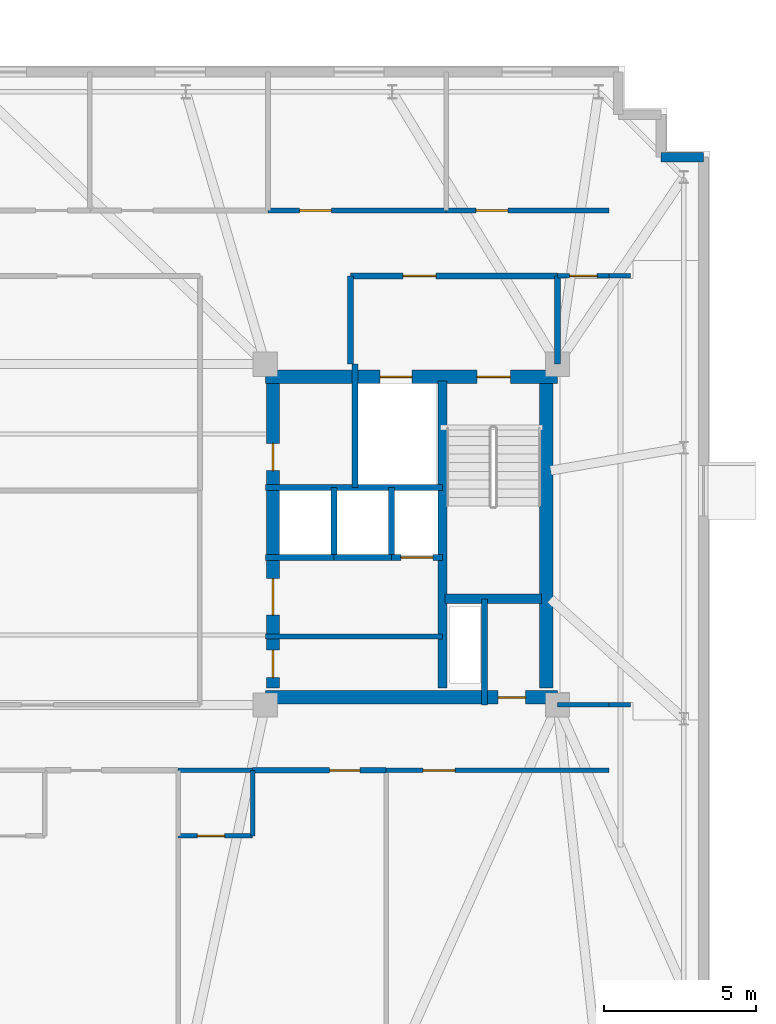
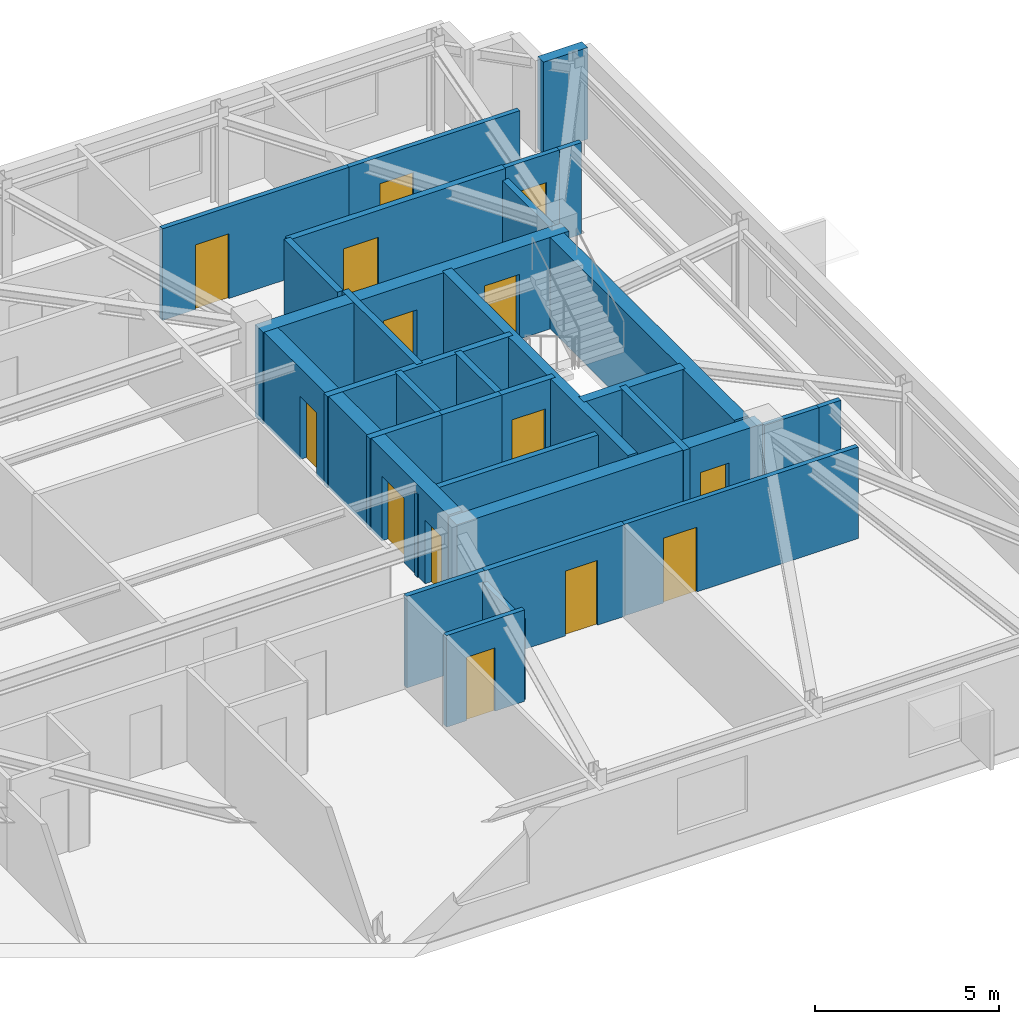
# One storey, part 8 of 11: 30 walls, 14 doors, 14 openings.
"""IFC4 building model written with IfcOpenShell, lengths in metres."""

from ifc_helpers import new_model, si_unit, direction, frame, frame_2d, origin, place, context, subcontext, project, spatial, rectangle, extrude, material, layer, layer_set, type_object, element, fill, save


model = new_model("IFC4")

# Units and contexts
model_context = context("Model", 3, precision=1e-05, world=origin(), true_north=direction((0.0, 1.0)))
body_context = subcontext(model_context, "Body", "Model", "MODEL_VIEW")
ifc_project = project(units=[si_unit("LENGTHUNIT", "METRE"), si_unit("AREAUNIT", "SQUARE_METRE"), si_unit("VOLUMEUNIT", "CUBIC_METRE"), si_unit("PLANEANGLEUNIT", "RADIAN"), si_unit("MASSUNIT", "GRAM", prefix="KILO")], contexts=[model_context])

# Site, building, storey
site_placement = place(None, origin())
site = spatial("IfcSite", under=ifc_project, at=site_placement, CompositionType="ELEMENT")
building_placement = place(site_placement, origin())
building = spatial("IfcBuilding", under=site, at=building_placement, Name="Qobustan Lattice House", CompositionType="ELEMENT")
storey_placement = place(building_placement, frame((0.0, 0.0, 248.39990234375)))
storey = spatial("IfcBuildingStorey", under=building, at=storey_placement, Name="L70", CompositionType="ELEMENT", Elevation=248.39990234375)

# Wall, openings, doors
ifc_material_1 = material(Name="Concrete C50/60", Category="concrete")
ifc_layer_1 = layer(ifc_material_1, 0.43994140625)
ifc_layer_set_1 = layer_set([ifc_layer_1], Name="Concrete C50/60")
wall_type_1 = type_object("IfcWallType", Name="WAL-CORE-440", PredefinedType="SHEAR", material=ifc_layer_set_1)
wall_1_placement = place(storey_placement, frame((9.199951171875, 5.179931640625, 0.0), z_axis=(0.0, 0.0, 1.0), x_axis=(1.0, 0.0, 0.0)))
wall_1 = element("IfcWall", 1, at=wall_1_placement, inside=storey, type_object=wall_type_1, Name="L70 split-core shear wall CE-N", PredefinedType="SHEAR", context=body_context, shape_type="SweptSolid", body=[
    extrude(rectangle(XDim=9.60009765625, YDim=0.43994140625, at=frame_2d((4.800048828125, 0.0))), origin(), (0.0, 0.0, 1.0), 3.0400390625),
])
opening_1_placement = place(wall_1_placement, frame((6.949951171875, 0.0, 0.0)))
opening_1 = element("IfcOpeningElement", 2, at=opening_1_placement, cuts=wall_1, Name="Opening SD-01", PredefinedType="OPENING", context=body_context, shape_type="SweptSolid", body=[
    extrude(rectangle(XDim=1.10009765625, YDim=2.14990234375, at=frame_2d((0.550048828125, 1.074951171875))), frame((0.0, 0.22998046875, 0.0), z_axis=(0.0, -1.0, 0.0), x_axis=(1.0, 0.0, 0.0)), (0.0, 0.0, 1.0), 0.4599609375),
])
opening_2_placement = place(wall_1_placement, frame((3.77490234375, 0.0, 0.0)))
opening_2 = element("IfcOpeningElement", 3, at=opening_2_placement, cuts=wall_1, Name="Opening LD-01", PredefinedType="OPENING", context=body_context, shape_type="SweptSolid", body=[
    extrude(rectangle(XDim=1.050048828125, YDim=2.10009765625, at=frame_2d((0.52490234375, 1.050048828125))), frame((0.0, 0.22998046875, 0.0), z_axis=(0.0, -1.0, 0.0), x_axis=(1.0, 0.0, 0.0)), (0.0, 0.0, 1.0), 0.4599609375),
])
ifc_material_2 = material(Name="Persian walnut timber and steel frame door", Category="steel")
door_type_1 = type_object("IfcDoorType", Name="DOR-LIFT-LD-1050x2100", OperationType="NOTDEFINED", PredefinedType="DOOR", material=ifc_material_2)
door_1_placement = place(opening_2_placement, origin())
door_1 = element("IfcDoor", 4, at=door_1_placement, inside=storey, type_object=door_type_1, Name="L70 firefighting lift FF-E landing door", OperationType="DOUBLE_DOOR_SLIDING", OverallHeight=2.10009765625, OverallWidth=1.050048828125, PredefinedType="DOOR", context=body_context, shape_type="SweptSolid", body=[
    extrude(rectangle(XDim=1.050048828125, YDim=2.10009765625, at=frame_2d((0.52490234375, 1.050048828125))), frame((0.0, 0.02490234375, 0.0), z_axis=(0.0, -1.0, 0.0), x_axis=(1.0, 0.0, 0.0)), (0.0, 0.0, 1.0), 0.050048828125),
])
fill(opening_2, door_1)
ifc_material_3 = material(Name="Persian walnut timber and steel frame door", Category="steel")
door_type_2 = type_object("IfcDoorType", Name="DOR-STAIR-FD-1100x2150", OperationType="NOTDEFINED", PredefinedType="DOOR", material=ifc_material_3)
door_2_placement = place(opening_1_placement, origin())
door_2 = element("IfcDoor", 5, at=door_2_placement, inside=storey, type_object=door_type_2, Name="L70 exit stair ST-E1 fire door", OperationType="SINGLE_SWING_LEFT", OverallHeight=2.14990234375, OverallWidth=1.10009765625, PredefinedType="DOOR", context=body_context, shape_type="SweptSolid", body=[
    extrude(rectangle(XDim=1.10009765625, YDim=2.14990234375, at=frame_2d((0.550048828125, 1.074951171875))), frame((0.0, 0.02490234375, 0.0), z_axis=(0.0, -1.0, 0.0), x_axis=(1.0, 0.0, 0.0)), (0.0, 0.0, 1.0), 0.050048828125),
])
fill(opening_1, door_2)

# Wall, opening, door
wall_2_placement = place(storey_placement, frame((9.199951171875, -5.35009765625, 0.0), z_axis=(0.0, 0.0, 1.0), x_axis=(1.0, 0.0, 0.0)))
wall_2 = element("IfcWall", 6, at=wall_2_placement, inside=storey, type_object=wall_type_1, Name="L70 split-core shear wall CE-S", PredefinedType="SHEAR", context=body_context, shape_type="SweptSolid", body=[
    extrude(rectangle(XDim=9.60009765625, YDim=0.43994140625, at=frame_2d((4.800048828125, 0.0))), origin(), (0.0, 0.0, 1.0), 3.0400390625),
])
opening_3_placement = place(wall_2_placement, frame((7.64990234375, 0.0, 0.0)))
opening_3 = element("IfcOpeningElement", 7, at=opening_3_placement, cuts=wall_2, Name="Opening RD-01", PredefinedType="OPENING", context=body_context, shape_type="SweptSolid", body=[
    extrude(rectangle(XDim=0.89990234375, YDim=2.10009765625, at=frame_2d((0.449951171875, 1.050048828125))), frame((0.0, 0.22998046875, 0.0), z_axis=(0.0, -1.0, 0.0), x_axis=(1.0, 0.0, 0.0)), (0.0, 0.0, 1.0), 0.4599609375),
])
ifc_material_4 = material(Name="Persian walnut timber and steel frame door", Category="steel")
door_type_3 = type_object("IfcDoorType", Name="DOR-RISER-FD-900x2100", OperationType="NOTDEFINED", PredefinedType="DOOR", material=ifc_material_4)
door_3_placement = place(opening_3_placement, origin())
door_3 = element("IfcDoor", 8, at=door_3_placement, inside=storey, type_object=door_type_3, Name="L70 core service riser access door E", OperationType="SINGLE_SWING_LEFT", OverallHeight=2.10009765625, OverallWidth=0.89990234375, PredefinedType="DOOR", context=body_context, shape_type="SweptSolid", body=[
    extrude(rectangle(XDim=0.89990234375, YDim=2.10009765625, at=frame_2d((0.449951171875, 1.050048828125))), frame((0.0, 0.02490234375, 0.0), z_axis=(0.0, -1.0, 0.0), x_axis=(1.0, 0.0, 0.0)), (0.0, 0.0, 1.0), 0.050048828125),
])
fill(opening_3, door_3)

# Wall, openings, doors
wall_3_placement = place(storey_placement, frame((9.449951171875, -5.050048828125, 0.0), z_axis=(0.0, 0.0, 1.0), x_axis=(0.0, 1.0, 0.0)))
wall_3 = element("IfcWall", 9, at=wall_3_placement, inside=storey, type_object=wall_type_1, Name="L70 split-core shear wall CE-W", PredefinedType="SHEAR", context=body_context, shape_type="SweptSolid", body=[
    extrude(rectangle(XDim=10.10009765625, YDim=0.43994140625, at=frame_2d((5.050048828125, 0.0))), origin(), (0.0, 0.0, 1.0), 3.0400390625),
])
opening_4_placement = place(wall_3_placement, frame((7.14990234375, 0.0, 0.0)))
opening_4 = element("IfcOpeningElement", 10, at=opening_4_placement, cuts=wall_3, Name="Opening RD-01", PredefinedType="OPENING", context=body_context, shape_type="SweptSolid", body=[
    extrude(rectangle(XDim=0.89990234375, YDim=2.10009765625, at=frame_2d((0.449951171875, 1.050048828125))), frame((0.0, 0.22998046875, 0.0), z_axis=(0.0, -1.0, 0.0), x_axis=(1.0, 0.0, 0.0)), (0.0, 0.0, 1.0), 0.4599609375),
])
opening_5_placement = place(wall_3_placement, frame((2.39990234375, 0.0, 0.0)))
opening_5 = element("IfcOpeningElement", 11, at=opening_5_placement, cuts=wall_3, Name="Opening FD-01", PredefinedType="OPENING", context=body_context, shape_type="SweptSolid", body=[
    extrude(rectangle(XDim=1.199951171875, YDim=2.14990234375, at=frame_2d((0.60009765625, 1.074951171875))), frame((0.0, 0.22998046875, 0.0), z_axis=(0.0, -1.0, 0.0), x_axis=(1.0, 0.0, 0.0)), (0.0, 0.0, 1.0), 0.4599609375),
])
opening_6_placement = place(wall_3_placement, frame((0.35009765625, 0.0, 0.0)))
opening_6 = element("IfcOpeningElement", 12, at=opening_6_placement, cuts=wall_3, Name="Opening RD-01", PredefinedType="OPENING", context=body_context, shape_type="SweptSolid", body=[
    extrude(rectangle(XDim=0.89990234375, YDim=2.10009765625, at=frame_2d((0.449951171875, 1.050048828125))), frame((0.0, 0.22998046875, 0.0), z_axis=(0.0, -1.0, 0.0), x_axis=(1.0, 0.0, 0.0)), (0.0, 0.0, 1.0), 0.4599609375),
])
ifc_material_5 = material(Name="Persian walnut timber and steel frame door", Category="steel")
door_type_4 = type_object("IfcDoorType", Name="DOR-LOBBY-FD-1200x2150", OperationType="NOTDEFINED", PredefinedType="DOOR", material=ifc_material_5)
door_4_placement = place(opening_5_placement, origin())
door_4 = element("IfcDoor", 13, at=door_4_placement, inside=storey, type_object=door_type_4, Name="L70 East passenger lift lobby fire door", OperationType="SINGLE_SWING_RIGHT", OverallHeight=2.14990234375, OverallWidth=1.199951171875, PredefinedType="DOOR", context=body_context, shape_type="SweptSolid", body=[
    extrude(rectangle(XDim=1.199951171875, YDim=2.14990234375, at=frame_2d((0.60009765625, 1.074951171875))), frame((0.0, 0.02490234375, 0.0), z_axis=(0.0, -1.0, 0.0), x_axis=(1.0, 0.0, 0.0)), (0.0, 0.0, 1.0), 0.050048828125),
])
fill(opening_5, door_4)
door_5_placement = place(opening_4_placement, origin())
door_5 = element("IfcDoor", 14, at=door_5_placement, inside=storey, type_object=door_type_3, Name="L70 Housekeeping linen store fire door", OperationType="SINGLE_SWING_LEFT", OverallHeight=2.10009765625, OverallWidth=0.89990234375, PredefinedType="DOOR", context=body_context, shape_type="SweptSolid", body=[
    extrude(rectangle(XDim=0.89990234375, YDim=2.10009765625, at=frame_2d((0.449951171875, 1.050048828125))), frame((0.0, 0.02490234375, 0.0), z_axis=(0.0, -1.0, 0.0), x_axis=(1.0, 0.0, 0.0)), (0.0, 0.0, 1.0), 0.050048828125),
])
fill(opening_4, door_5)
door_6_placement = place(opening_6_placement, origin())
door_6 = element("IfcDoor", 15, at=door_6_placement, inside=storey, type_object=door_type_3, Name="L70 Graduate seminar alcove fire door", OperationType="SINGLE_SWING_LEFT", OverallHeight=2.10009765625, OverallWidth=0.89990234375, PredefinedType="DOOR", context=body_context, shape_type="SweptSolid", body=[
    extrude(rectangle(XDim=0.89990234375, YDim=2.10009765625, at=frame_2d((0.449951171875, 1.050048828125))), frame((0.0, 0.02490234375, 0.0), z_axis=(0.0, -1.0, 0.0), x_axis=(1.0, 0.0, 0.0)), (0.0, 0.0, 1.0), 0.050048828125),
])
fill(opening_6, door_6)

# Walls
wall_4_placement = place(storey_placement, frame((18.429931640625, -5.050048828125, 0.0), z_axis=(0.0, 0.0, 1.0), x_axis=(0.0, 1.0, 0.0)))
element("IfcWall", 16, at=wall_4_placement, inside=storey, type_object=wall_type_1, Name="L70 split-core shear wall CE-E", PredefinedType="SHEAR", context=body_context, shape_type="SweptSolid", body=[
    extrude(rectangle(XDim=10.10009765625, YDim=0.43994140625, at=frame_2d((5.050048828125, 0.0))), origin(), (0.0, 0.0, 1.0), 3.0400390625),
])
ifc_material_6 = material(Name="Concrete C50/60", Category="concrete")
ifc_layer_2 = layer(ifc_material_6, 0.280029296875)
ifc_layer_set_2 = layer_set([ifc_layer_2], Name="Concrete C50/60")
wall_type_2 = type_object("IfcWallType", Name="WAL-CORE-SPINE-280", PredefinedType="SHEAR", material=ifc_layer_set_2)
wall_5_placement = place(storey_placement, frame((15.02001953125, -5.050048828125, 0.0), z_axis=(0.0, 0.0, 1.0), x_axis=(0.0, 1.0, 0.0)))
element("IfcWall", 17, at=wall_5_placement, inside=storey, type_object=wall_type_2, Name="L70 split-core shear wall CE-M", PredefinedType="SHEAR", context=body_context, shape_type="SweptSolid", body=[
    extrude(rectangle(XDim=10.10009765625, YDim=0.300048828125, at=frame_2d((5.050048828125, 0.0))), origin(), (0.0, 0.0, 1.0), 3.0400390625),
])
wall_6_placement = place(storey_placement, frame((15.10009765625, -2.110107421875, 0.0), z_axis=(0.0, 0.0, 1.0), x_axis=(1.0, 0.0, 0.0)))
element("IfcWall", 18, at=wall_6_placement, inside=storey, type_object=wall_type_2, Name="L70 split-core shear wall CE-ST", PredefinedType="SHEAR", context=body_context, shape_type="SweptSolid", body=[
    extrude(rectangle(XDim=3.179931640625, YDim=0.300048828125, at=frame_2d((1.58984375, 0.0))), origin(), (0.0, 0.0, 1.0), 3.0400390625),
])
ifc_material_7 = material(Name="Precast concrete C40/50", Category="concrete")
ifc_layer_3 = layer(ifc_material_7, 0.320068359375)
ifc_layer_set_3 = layer_set([ifc_layer_3], Name="Precast concrete C40/50")
wall_type_3 = type_object("IfcWallType", Name="WAL-EXT-STONE-320", PredefinedType="SOLIDWALL", material=ifc_layer_set_3)
wall_7_placement = place(storey_placement, frame((22.199951171875, 12.39990234375, 0.0), z_axis=(0.0, 0.0, 1.0), x_axis=(1.0, 0.0, 0.0)))
element("IfcWall", 19, at=wall_7_placement, inside=storey, type_object=wall_type_3, Name="L70 exterior limestone-clad wall 14", PredefinedType="SOLIDWALL", context=body_context, shape_type="SweptSolid", body=[
    extrude(rectangle(XDim=1.400146484375, YDim=0.320068359375, at=frame_2d((0.7001953125, 0.0))), origin(), (0.0, 0.0, 1.0), 3.0400390625),
])
ifc_material_8 = material(Name="Gypsum fireboard acoustic partition", Category="gypsum")
ifc_layer_4 = layer(ifc_material_8, 0.179931640625)
ifc_layer_set_4 = layer_set([ifc_layer_4], Name="Gypsum fireboard acoustic partition")
wall_type_4 = type_object("IfcWallType", Name="WAL-FIRE-180", PredefinedType="PARTITIONING", material=ifc_layer_set_4)
wall_8_placement = place(storey_placement, frame((9.199951171875, -3.35009765625, 0.0), z_axis=(0.0, 0.0, 1.0), x_axis=(1.0, 0.0, 0.0)))
element("IfcWall", 20, at=wall_8_placement, inside=storey, type_object=wall_type_4, Name="L70 interior partition 21", PredefinedType="PARTITIONING", context=body_context, shape_type="SweptSolid", body=[
    extrude(rectangle(XDim=5.820068359375, YDim=0.179931640625, at=frame_2d((2.91015625, 0.0))), origin(), (0.0, 0.0, 1.0), 2.755126953125),
])

# Wall, opening, door
wall_9_placement = place(storey_placement, frame((13.1669921875, -7.75, 0.0), z_axis=(0.0, 0.0, 1.0), x_axis=(-1.0, 0.0, 0.0)))
wall_9 = element("IfcWall", 21, at=wall_9_placement, inside=storey, type_object=wall_type_4, Name="L70 interior partition 57", PredefinedType="PARTITIONING", context=body_context, shape_type="SweptSolid", body=[
    extrude(rectangle(XDim=4.384033203125, YDim=0.179931640625, at=frame_2d((2.19189453125, 0.0))), origin(), (0.0, 0.0, 1.0), 3.0400390625),
])
opening_7_placement = place(wall_9_placement, frame((0.85791015625, 0.0, 0.0)))
opening_7 = element("IfcOpeningElement", 22, at=opening_7_placement, cuts=wall_9, Name="Opening FD-02", PredefinedType="OPENING", context=body_context, shape_type="SweptSolid", body=[
    extrude(rectangle(XDim=1.0, YDim=2.14990234375, at=frame_2d((0.5, 1.074951171875))), frame((0.0, 0.099853515625, 0.0), z_axis=(0.0, -1.0, 0.0), x_axis=(1.0, 0.0, 0.0)), (0.0, 0.0, 1.0), 0.199951171875),
])
ifc_material_9 = material(Name="Persian walnut timber and steel frame door", Category="steel")
door_type_5 = type_object("IfcDoorType", Name="DOR-UNIT-FD-1000x2150", OperationType="NOTDEFINED", PredefinedType="DOOR", material=ifc_material_9)
door_7_placement = place(opening_7_placement, origin())
door_7 = element("IfcDoor", 23, at=door_7_placement, inside=storey, type_object=door_type_5, Name="L70 South-east floor corridor to Kitchenette and studio apartment L70-S5 door", OperationType="SINGLE_SWING_LEFT", OverallHeight=2.14990234375, OverallWidth=1.0, PredefinedType="DOOR", context=body_context, shape_type="SweptSolid", body=[
    extrude(rectangle(XDim=1.0, YDim=2.14990234375, at=frame_2d((0.5, 1.074951171875))), frame((0.0, 0.02490234375, 0.0), z_axis=(0.0, -1.0, 0.0), x_axis=(1.0, 0.0, 0.0)), (0.0, 0.0, 1.0), 0.050048828125),
])
fill(opening_7, door_7)

ifc_material_10 = material(Name="Acoustic twin-stud gypsum partition", Category="gypsum")
ifc_layer_5 = layer(ifc_material_10, 0.14990234375)
ifc_layer_set_5 = layer_set([ifc_layer_5], Name="Acoustic twin-stud gypsum partition")
wall_type_5 = type_object("IfcWallType", Name="WAL-PART-150", PredefinedType="PARTITIONING", material=ifc_layer_set_5)
wall_10_placement = place(storey_placement, frame((20.5, 8.5, 0.0), z_axis=(0.0, 0.0, 1.0), x_axis=(-1.0, 0.0, 0.0)))
wall_10 = element("IfcWall", 24, at=wall_10_placement, inside=storey, type_object=wall_type_5, Name="L70 interior partition 37", PredefinedType="PARTITIONING", context=body_context, shape_type="SweptSolid", body=[
    extrude(rectangle(XDim=1.699951171875, YDim=0.14990234375, at=frame_2d((0.85009765625, 0.0))), origin(), (0.0, 0.0, 1.0), 3.0400390625),
])
opening_8_placement = place(wall_10_placement, frame((0.39990234375, 0.0, 0.0)))
opening_8 = element("IfcOpeningElement", 25, at=opening_8_placement, cuts=wall_10, Name="Opening WD-01", PredefinedType="OPENING", context=body_context, shape_type="SweptSolid", body=[
    extrude(rectangle(XDim=0.89990234375, YDim=2.10009765625, at=frame_2d((0.449951171875, 1.050048828125))), frame((0.0, 0.0849609375, 0.0), z_axis=(0.0, -1.0, 0.0), x_axis=(1.0, 0.0, 0.0)), (0.0, 0.0, 1.0), 0.169921875),
])
ifc_material_11 = material(Name="Persian walnut timber and steel frame door", Category="steel")
door_type_6 = type_object("IfcDoorType", Name="DOR-WET-900x2100", OperationType="NOTDEFINED", PredefinedType="DOOR", material=ifc_material_11)
door_8_placement = place(opening_8_placement, origin())
door_8 = element("IfcDoor", 26, at=door_8_placement, inside=storey, type_object=door_type_6, Name="L70 North-east floor corridor to Communal study lounge door", OperationType="SINGLE_SWING_LEFT", OverallHeight=2.10009765625, OverallWidth=0.89990234375, PredefinedType="DOOR", context=body_context, shape_type="SweptSolid", body=[
    extrude(rectangle(XDim=0.89990234375, YDim=2.10009765625, at=frame_2d((0.449951171875, 1.050048828125))), frame((0.0, 0.02490234375, 0.0), z_axis=(0.0, -1.0, 0.0), x_axis=(1.0, 0.0, 0.0)), (0.0, 0.0, 1.0), 0.050048828125),
])
fill(opening_8, door_8)

# Wall
wall_11_placement = place(storey_placement, frame((21.199951171875, 8.5, 0.0), z_axis=(0.0, 0.0, 1.0), x_axis=(-1.0, 0.0, 0.0)))
element("IfcWall", 27, at=wall_11_placement, inside=storey, type_object=wall_type_5, Name="L70 interior partition 38", PredefinedType="PARTITIONING", context=body_context, shape_type="SweptSolid", body=[
    extrude(rectangle(XDim=0.699951171875, YDim=0.14990234375, at=frame_2d((0.35009765625, 0.0))), origin(), (0.0, 0.0, 1.0), 3.0400390625),
])

# Wall, opening, door
wall_12_placement = place(storey_placement, frame((9.285888671875, 10.64990234375, 0.0), z_axis=(0.0, 0.0, 1.0), x_axis=(1.0, 0.0, 0.0)))
wall_12 = element("IfcWall", 28, at=wall_12_placement, inside=storey, type_object=wall_type_5, Name="L70 interior partition 41", PredefinedType="PARTITIONING", context=body_context, shape_type="SweptSolid", body=[
    extrude(rectangle(XDim=5.857177734375, YDim=0.14990234375, at=frame_2d((2.9287109375, 0.0))), origin(), (0.0, 0.0, 1.0), 3.0400390625),
])
opening_9_placement = place(wall_12_placement, frame((1.035888671875, 0.0, 0.0)))
opening_9 = element("IfcOpeningElement", 29, at=opening_9_placement, cuts=wall_12, Name="Opening ID-02", PredefinedType="OPENING", context=body_context, shape_type="SweptSolid", body=[
    extrude(rectangle(XDim=1.050048828125, YDim=2.14990234375, at=frame_2d((0.52490234375, 1.074951171875))), frame((0.0, 0.0849609375, 0.0), z_axis=(0.0, -1.0, 0.0), x_axis=(1.0, 0.0, 0.0)), (0.0, 0.0, 1.0), 0.169921875),
])
ifc_material_12 = material(Name="Persian walnut timber and steel frame door", Category="steel")
door_type_7 = type_object("IfcDoorType", Name="DOR-STUDY-1050x2150", OperationType="NOTDEFINED", PredefinedType="DOOR", material=ifc_material_12)
door_9_placement = place(opening_9_placement, origin())
door_9 = element("IfcDoor", 30, at=door_9_placement, inside=storey, type_object=door_type_7, Name="L70 North-east floor corridor to Focus study room N6 door", OperationType="SINGLE_SWING_RIGHT", OverallHeight=2.14990234375, OverallWidth=1.050048828125, PredefinedType="DOOR", context=body_context, shape_type="SweptSolid", body=[
    extrude(rectangle(XDim=1.050048828125, YDim=2.14990234375, at=frame_2d((0.52490234375, 1.074951171875))), frame((0.0, 0.02490234375, 0.0), z_axis=(0.0, -1.0, 0.0), x_axis=(1.0, 0.0, 0.0)), (0.0, 0.0, 1.0), 0.050048828125),
])
fill(opening_9, door_9)

wall_13_placement = place(storey_placement, frame((15.14306640625, 10.64990234375, 0.0), z_axis=(0.0, 0.0, 1.0), x_axis=(1.0, 0.0, 0.0)))
wall_13 = element("IfcWall", 31, at=wall_13_placement, inside=storey, type_object=wall_type_5, Name="L70 interior partition 42", PredefinedType="PARTITIONING", context=body_context, shape_type="SweptSolid", body=[
    extrude(rectangle(XDim=5.35693359375, YDim=0.14990234375, at=frame_2d((2.678466796875, 0.0))), origin(), (0.0, 0.0, 1.0), 3.0400390625),
])
opening_10_placement = place(wall_13_placement, frame((0.973388671875, 0.0, 0.0)))
opening_10 = element("IfcOpeningElement", 32, at=opening_10_placement, cuts=wall_13, Name="Opening ID-02", PredefinedType="OPENING", context=body_context, shape_type="SweptSolid", body=[
    extrude(rectangle(XDim=1.050048828125, YDim=2.14990234375, at=frame_2d((0.52490234375, 1.074951171875))), frame((0.0, 0.0849609375, 0.0), z_axis=(0.0, -1.0, 0.0), x_axis=(1.0, 0.0, 0.0)), (0.0, 0.0, 1.0), 0.169921875),
])
door_10_placement = place(opening_10_placement, origin())
door_10 = element("IfcDoor", 33, at=door_10_placement, inside=storey, type_object=door_type_7, Name="L70 North-east floor corridor to Focus study room N7 door", OperationType="SINGLE_SWING_LEFT", OverallHeight=2.14990234375, OverallWidth=1.050048828125, PredefinedType="DOOR", context=body_context, shape_type="SweptSolid", body=[
    extrude(rectangle(XDim=1.050048828125, YDim=2.14990234375, at=frame_2d((0.52490234375, 1.074951171875))), frame((0.0, 0.02490234375, 0.0), z_axis=(0.0, -1.0, 0.0), x_axis=(1.0, 0.0, 0.0)), (0.0, 0.0, 1.0), 0.050048828125),
])
fill(opening_10, door_10)

# Walls
wall_14_placement = place(storey_placement, frame((18.800048828125, -5.60009765625, 0.0), z_axis=(0.0, 0.0, 1.0), x_axis=(1.0, 0.0, 0.0)))
element("IfcWall", 34, at=wall_14_placement, inside=storey, type_object=wall_type_5, Name="L70 interior partition 53", PredefinedType="PARTITIONING", context=body_context, shape_type="SweptSolid", body=[
    extrude(rectangle(XDim=1.699951171875, YDim=0.14990234375, at=frame_2d((0.85009765625, 0.0))), origin(), (0.0, 0.0, 1.0), 3.0400390625),
])
wall_15_placement = place(storey_placement, frame((20.5, -5.60009765625, 0.0), z_axis=(0.0, 0.0, 1.0), x_axis=(1.0, 0.0, 0.0)))
element("IfcWall", 35, at=wall_15_placement, inside=storey, type_object=wall_type_5, Name="L70 interior partition 54", PredefinedType="PARTITIONING", context=body_context, shape_type="SweptSolid", body=[
    extrude(rectangle(XDim=0.699951171875, YDim=0.14990234375, at=frame_2d((0.35009765625, 0.0))), origin(), (0.0, 0.0, 1.0), 3.0400390625),
])

# Wall, opening, door
wall_16_placement = place(storey_placement, frame((20.5, -7.75, 0.0), z_axis=(0.0, 0.0, 1.0), x_axis=(-1.0, 0.0, 0.0)))
wall_16 = element("IfcWall", 36, at=wall_16_placement, inside=storey, type_object=wall_type_5, Name="L70 interior partition 59", PredefinedType="PARTITIONING", context=body_context, shape_type="SweptSolid", body=[
    extrude(rectangle(XDim=7.3330078125, YDim=0.14990234375, at=frame_2d((3.66650390625, 0.0))), origin(), (0.0, 0.0, 1.0), 3.0400390625),
])
opening_11_placement = place(wall_16_placement, frame((5.0625, 0.0, 0.0)))
opening_11 = element("IfcOpeningElement", 37, at=opening_11_placement, cuts=wall_16, Name="Opening ID-02", PredefinedType="OPENING", context=body_context, shape_type="SweptSolid", body=[
    extrude(rectangle(XDim=1.050048828125, YDim=2.14990234375, at=frame_2d((0.52490234375, 1.074951171875))), frame((0.0, 0.0849609375, 0.0), z_axis=(0.0, -1.0, 0.0), x_axis=(1.0, 0.0, 0.0)), (0.0, 0.0, 1.0), 0.169921875),
])
door_11_placement = place(opening_11_placement, origin())
door_11 = element("IfcDoor", 38, at=door_11_placement, inside=storey, type_object=door_type_7, Name="L70 South-east floor corridor to Group study room door", OperationType="SINGLE_SWING_RIGHT", OverallHeight=2.14990234375, OverallWidth=1.050048828125, PredefinedType="DOOR", context=body_context, shape_type="SweptSolid", body=[
    extrude(rectangle(XDim=1.050048828125, YDim=2.14990234375, at=frame_2d((0.52490234375, 1.074951171875))), frame((0.0, 0.02490234375, 0.0), z_axis=(0.0, -1.0, 0.0), x_axis=(1.0, 0.0, 0.0)), (0.0, 0.0, 1.0), 0.050048828125),
])
fill(opening_11, door_11)

ifc_material_13 = material(Name="Two-hour gypsum fireboard acoustic partition", Category="gypsum")
ifc_layer_6 = layer(ifc_material_13, 0.199951171875)
ifc_layer_set_6 = layer_set([ifc_layer_6], Name="Two-hour gypsum fireboard acoustic partition")
wall_type_6 = type_object("IfcWallType", Name="WAL-PROT-200", PredefinedType="PARTITIONING", material=ifc_layer_set_6)
wall_17_placement = place(storey_placement, frame((18.800048828125, 8.5, 0.0), z_axis=(0.0, 0.0, 1.0), x_axis=(-1.0, 0.0, 0.0)))
wall_17 = element("IfcWall", 39, at=wall_17_placement, inside=storey, type_object=wall_type_6, Name="L70 interior partition 17", PredefinedType="PARTITIONING", context=body_context, shape_type="SweptSolid", body=[
    extrude(rectangle(XDim=6.800048828125, YDim=0.199951171875, at=frame_2d((3.39990234375, 0.0))), origin(), (0.0, 0.0, 1.0), 3.0400390625),
])
opening_12_placement = place(wall_17_placement, frame((3.985107421875, 0.0, 0.0)))
opening_12 = element("IfcOpeningElement", 40, at=opening_12_placement, cuts=wall_17, Name="Opening SD-01", PredefinedType="OPENING", context=body_context, shape_type="SweptSolid", body=[
    extrude(rectangle(XDim=1.10009765625, YDim=2.14990234375, at=frame_2d((0.550048828125, 1.074951171875))), frame((0.0, 0.10986328125, 0.0), z_axis=(0.0, -1.0, 0.0), x_axis=(1.0, 0.0, 0.0)), (0.0, 0.0, 1.0), 0.219970703125),
])
door_12_placement = place(opening_12_placement, origin())
door_12 = element("IfcDoor", 41, at=door_12_placement, inside=storey, type_object=door_type_2, Name="L70 East firefighting lift lobby to North-east floor corridor door", OperationType="SINGLE_SWING_RIGHT", OverallHeight=2.14990234375, OverallWidth=1.10009765625, PredefinedType="DOOR", context=body_context, shape_type="SweptSolid", body=[
    extrude(rectangle(XDim=1.10009765625, YDim=2.14990234375, at=frame_2d((0.550048828125, 1.074951171875))), frame((0.0, 0.02490234375, 0.0), z_axis=(0.0, -1.0, 0.0), x_axis=(1.0, 0.0, 0.0)), (0.0, 0.0, 1.0), 0.050048828125),
])
fill(opening_12, door_12)

# Walls
wall_18_placement = place(storey_placement, frame((12.0, 8.5, 0.0), z_axis=(0.0, 0.0, 1.0), x_axis=(0.0, -1.0, 0.0)))
element("IfcWall", 42, at=wall_18_placement, inside=storey, type_object=wall_type_6, Name="L70 interior partition 18", PredefinedType="PARTITIONING", context=body_context, shape_type="SweptSolid", body=[
    extrude(rectangle(XDim=2.89990234375, YDim=0.199951171875, at=frame_2d((1.449951171875, 0.0))), origin(), (0.0, 0.0, 1.0), 3.0400390625),
])
wall_19_placement = place(storey_placement, frame((18.800048828125, 5.60009765625, 0.0), z_axis=(0.0, 0.0, 1.0), x_axis=(0.0, 1.0, 0.0)))
element("IfcWall", 43, at=wall_19_placement, inside=storey, type_object=wall_type_6, Name="L70 interior partition 19", PredefinedType="PARTITIONING", context=body_context, shape_type="SweptSolid", body=[
    extrude(rectangle(XDim=2.89990234375, YDim=0.199951171875, at=frame_2d((1.449951171875, 0.0))), origin(), (0.0, 0.0, 1.0), 2.6650390625),
])
ifc_material_14 = material(Name="Concrete C40/50", Category="concrete")
ifc_layer_7 = layer(ifc_material_14, 0.199951171875)
ifc_layer_set_7 = layer_set([ifc_layer_7], Name="Concrete C40/50")
wall_type_7 = type_object("IfcWallType", Name="WAL-SHAFT-200", PredefinedType="PARTITIONING", material=ifc_layer_set_7)
wall_20_placement = place(storey_placement, frame((16.39990234375, -2.110107421875, 0.0), z_axis=(0.0, 0.0, 1.0), x_axis=(0.0, -1.0, 0.0)))
element("IfcWall", 44, at=wall_20_placement, inside=storey, type_object=wall_type_7, Name="L70 interior partition 15", PredefinedType="PARTITIONING", context=body_context, shape_type="SweptSolid", body=[
    extrude(rectangle(XDim=3.489990234375, YDim=0.199951171875, at=frame_2d((1.7451171875, 0.0))), origin(), (0.0, 0.0, 1.0), 3.0400390625),
])
wall_21_placement = place(storey_placement, frame((12.14990234375, 5.60009765625, 0.0), z_axis=(0.0, 0.0, 1.0), x_axis=(0.0, -1.0, 0.0)))
element("IfcWall", 45, at=wall_21_placement, inside=storey, type_object=wall_type_7, Name="L70 interior partition 16", PredefinedType="PARTITIONING", context=body_context, shape_type="SweptSolid", body=[
    extrude(rectangle(XDim=4.050048828125, YDim=0.199951171875, at=frame_2d((2.02490234375, 0.0))), origin(), (0.0, 0.0, 1.0), 3.0400390625),
])
wall_22_placement = place(storey_placement, frame((11.4599609375, -0.75, 0.0), z_axis=(0.0, 0.0, 1.0), x_axis=(-1.0, 0.0, 0.0)))
element("IfcWall", 46, at=wall_22_placement, inside=storey, type_object=wall_type_7, Name="L70 interior partition 22", PredefinedType="PARTITIONING", context=body_context, shape_type="SweptSolid", body=[
    extrude(rectangle(XDim=2.260009765625, YDim=0.199951171875, at=frame_2d((1.1298828125, 0.0))), origin(), (0.0, 0.0, 1.0), 3.0400390625),
])
wall_23_placement = place(storey_placement, frame((13.340087890625, -0.75, 0.0), z_axis=(0.0, 0.0, 1.0), x_axis=(-1.0, 0.0, 0.0)))
element("IfcWall", 47, at=wall_23_placement, inside=storey, type_object=wall_type_7, Name="L70 interior partition 23", PredefinedType="PARTITIONING", context=body_context, shape_type="SweptSolid", body=[
    extrude(rectangle(XDim=1.880126953125, YDim=0.199951171875, at=frame_2d((0.93994140625, 0.0))), origin(), (0.0, 0.0, 1.0), 3.0400390625),
])

# Wall, opening, door
wall_24_placement = place(storey_placement, frame((15.02001953125, -0.75, 0.0), z_axis=(0.0, 0.0, 1.0), x_axis=(-1.0, 0.0, 0.0)))
wall_24 = element("IfcWall", 48, at=wall_24_placement, inside=storey, type_object=wall_type_7, Name="L70 interior partition 24", PredefinedType="PARTITIONING", context=body_context, shape_type="SweptSolid", body=[
    extrude(rectangle(XDim=1.679931640625, YDim=0.199951171875, at=frame_2d((0.83984375, 0.0))), origin(), (0.0, 0.0, 1.0), 3.0400390625),
])
opening_13_placement = place(wall_24_placement, frame((0.31494140625, 0.0, 0.0)))
opening_13 = element("IfcOpeningElement", 49, at=opening_13_placement, cuts=wall_24, Name="Opening LD-01", PredefinedType="OPENING", context=body_context, shape_type="SweptSolid", body=[
    extrude(rectangle(XDim=1.050048828125, YDim=2.10009765625, at=frame_2d((0.52490234375, 1.050048828125))), frame((0.0, 0.10986328125, 0.0), z_axis=(0.0, -1.0, 0.0), x_axis=(1.0, 0.0, 0.0)), (0.0, 0.0, 1.0), 0.219970703125),
])
door_13_placement = place(opening_13_placement, origin())
door_13 = element("IfcDoor", 50, at=door_13_placement, inside=storey, type_object=door_type_1, Name="L70 lift landing door", OperationType="DOUBLE_DOOR_SLIDING", OverallHeight=2.10009765625, OverallWidth=1.050048828125, PredefinedType="DOOR", context=body_context, shape_type="SweptSolid", body=[
    extrude(rectangle(XDim=1.050048828125, YDim=2.10009765625, at=frame_2d((0.52490234375, 1.050048828125))), frame((0.0, 0.02490234375, 0.0), z_axis=(0.0, -1.0, 0.0), x_axis=(1.0, 0.0, 0.0)), (0.0, 0.0, 1.0), 0.050048828125),
])
fill(opening_13, door_13)

# Walls
for number, where, z_axis, x_axis, name in (
    (51, (11.4599609375, -0.75, 0.0), (0.0, 0.0, 1.0), (0.0, 1.0, 0.0), "L70 interior partition 27"),
    (52, (13.340087890625, -0.75, 0.0), (0.0, 0.0, 1.0), (0.0, 1.0, 0.0), "L70 interior partition 28"),
):
    element("IfcWall", number, at=place(storey_placement, frame(where, z_axis=z_axis, x_axis=x_axis)), inside=storey, type_object=wall_type_7, Name=name, PredefinedType="PARTITIONING", context=body_context, shape_type="SweptSolid", body=[
        extrude(rectangle(XDim=2.300048828125, YDim=0.199951171875, at=frame_2d((1.14990234375, 0.0))), origin(), (0.0, 0.0, 1.0), 3.0400390625),
    ])
wall_25_placement = place(storey_placement, frame((9.199951171875, 1.550048828125, 0.0), z_axis=(0.0, 0.0, 1.0), x_axis=(1.0, 0.0, 0.0)))
element("IfcWall", 53, at=wall_25_placement, inside=storey, type_object=wall_type_7, Name="L70 interior partition 101", PredefinedType="PARTITIONING", context=body_context, shape_type="SweptSolid", body=[
    extrude(rectangle(XDim=5.820068359375, YDim=0.199951171875, at=frame_2d((2.91015625, 0.0))), origin(), (0.0, 0.0, 1.0), 3.0400390625),
])
ifc_material_15 = material(Name="Moisture-resistant acoustic plumbing wall", Category="gypsum")
ifc_layer_8 = layer(ifc_material_15, 0.14990234375)
ifc_layer_set_8 = layer_set([ifc_layer_8], Name="Moisture-resistant acoustic plumbing wall")
wall_type_8 = type_object("IfcWallType", Name="WAL-WET-150", PredefinedType="PLUMBINGWALL", material=ifc_layer_set_8)
wall_26_placement = place(storey_placement, frame((8.782958984375, -7.75, 0.0), z_axis=(0.0, 0.0, 1.0), x_axis=(-1.0, 0.0, 0.0)))
element("IfcWall", 54, at=wall_26_placement, inside=storey, type_object=wall_type_8, Name="L70 interior partition 58", PredefinedType="PLUMBINGWALL", context=body_context, shape_type="SweptSolid", body=[
    extrude(rectangle(XDim=2.449951171875, YDim=0.14990234375, at=frame_2d((1.22509765625, 0.0))), origin(), (0.0, 0.0, 1.0), 3.0400390625),
])

# Wall, opening, door
wall_27_placement = place(storey_placement, frame((6.3330078125, -9.89990234375, 0.0), z_axis=(0.0, 0.0, 1.0), x_axis=(1.0, 0.0, 0.0)))
wall_27 = element("IfcWall", 55, at=wall_27_placement, inside=storey, type_object=wall_type_8, Name="L70 interior partition 94", PredefinedType="PLUMBINGWALL", context=body_context, shape_type="SweptSolid", body=[
    extrude(rectangle(XDim=2.449951171875, YDim=0.14990234375, at=frame_2d((1.22509765625, 0.0))), origin(), (0.0, 0.0, 1.0), 3.0400390625),
])
opening_14_placement = place(wall_27_placement, frame((0.628662109375, 0.0, 0.0)))
opening_14 = element("IfcOpeningElement", 56, at=opening_14_placement, cuts=wall_27, Name="Opening WD-01", PredefinedType="OPENING", context=body_context, shape_type="SweptSolid", body=[
    extrude(rectangle(XDim=0.89990234375, YDim=2.10009765625, at=frame_2d((0.449951171875, 1.050048828125))), frame((0.0, 0.0849609375, 0.0), z_axis=(0.0, -1.0, 0.0), x_axis=(1.0, 0.0, 0.0)), (0.0, 0.0, 1.0), 0.169921875),
])
door_14_placement = place(opening_14_placement, origin())
door_14 = element("IfcDoor", 57, at=door_14_placement, inside=storey, type_object=door_type_6, Name="L70 Kitchenette and studio apartment L70-S5 to En-suite bathroom L70-S5 door", OperationType="SINGLE_SWING_LEFT", OverallHeight=2.10009765625, OverallWidth=0.89990234375, PredefinedType="DOOR", context=body_context, shape_type="SweptSolid", body=[
    extrude(rectangle(XDim=0.89990234375, YDim=2.10009765625, at=frame_2d((0.449951171875, 1.050048828125))), frame((0.0, 0.02490234375, 0.0), z_axis=(0.0, -1.0, 0.0), x_axis=(1.0, 0.0, 0.0)), (0.0, 0.0, 1.0), 0.050048828125),
])
fill(opening_14, door_14)

# Wall
wall_28_placement = place(storey_placement, frame((8.782958984375, -9.89990234375, 0.0), z_axis=(0.0, 0.0, 1.0), x_axis=(0.0, 1.0, 0.0)))
element("IfcWall", 58, at=wall_28_placement, inside=storey, type_object=wall_type_8, Name="L70 interior partition 95", PredefinedType="PLUMBINGWALL", context=body_context, shape_type="SweptSolid", body=[
    extrude(rectangle(XDim=2.14990234375, YDim=0.14990234375, at=frame_2d((1.074951171875, 0.0))), origin(), (0.0, 0.0, 1.0), 2.6650390625),
])

save(model, "model.ifc")
